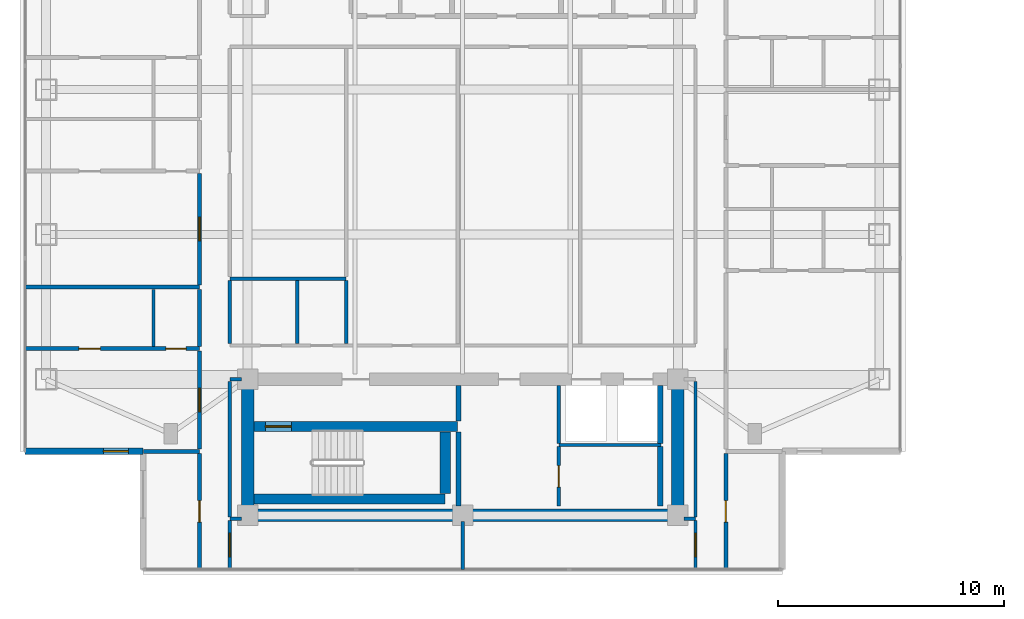
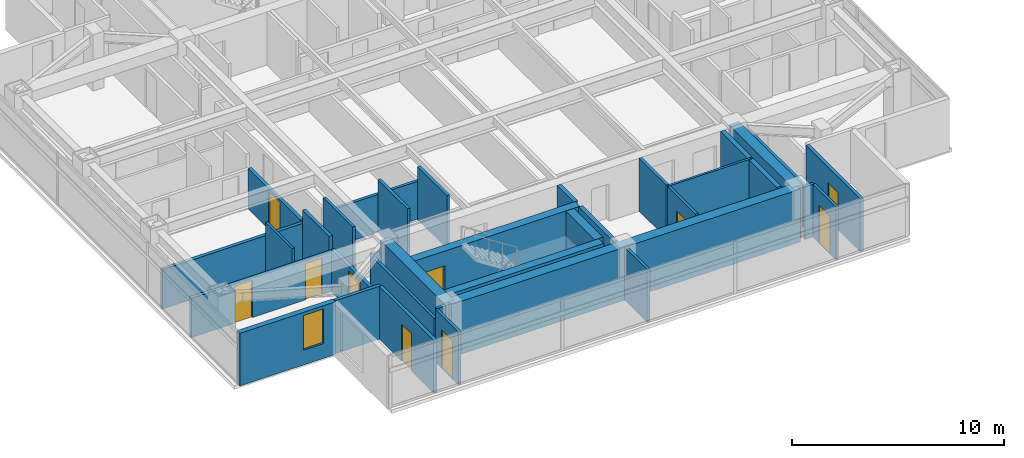
# One storey, part 11 of 23: 35 walls, 10 doors, 1 window, 11 openings.
"""IFC4 building model written with IfcOpenShell, lengths in metres."""

from ifc_helpers import new_model, si_unit, direction, frame, frame_2d, origin, place, context, subcontext, project, spatial, rectangle, extrude, material, layer, layer_set, type_object, element, fill, save


model = new_model("IFC4")

# Units and contexts
model_context = context("Model", 3, precision=1e-05, world=origin(), true_north=direction((0.0, 1.0)))
body_context = subcontext(model_context, "Body", "Model", "MODEL_VIEW")
ifc_project = project(units=[si_unit("LENGTHUNIT", "METRE"), si_unit("AREAUNIT", "SQUARE_METRE"), si_unit("VOLUMEUNIT", "CUBIC_METRE"), si_unit("PLANEANGLEUNIT", "RADIAN"), si_unit("MASSUNIT", "GRAM", prefix="KILO")], contexts=[model_context])

# Site, building, storey
site_placement = place(None, origin())
site = spatial("IfcSite", under=ifc_project, at=site_placement, CompositionType="ELEMENT")
building_placement = place(site_placement, origin())
building = spatial("IfcBuilding", under=site, at=building_placement, Name="Mirazonda Arch Towers", CompositionType="ELEMENT")
storey_placement = place(building_placement, frame((0.0, 0.0, 183.64990234375)))
storey = spatial("IfcBuildingStorey", under=building, at=storey_placement, Name="L52", CompositionType="ELEMENT", Elevation=183.64990234375)

# Wall
ifc_material_1 = material(Name="Concrete C50/60", Category="concrete")
ifc_layer_1 = layer(ifc_material_1, 0.449951171875, Name="WALL-CORE-450")
ifc_layer_set_1 = layer_set([ifc_layer_1], Name="Concrete C50/60")
wall_type_1 = type_object("IfcWallType", Name="WALL-CORE-450", PredefinedType="SHEAR", material=ifc_layer_set_1)
wall_1_placement = place(storey_placement, frame((11.27001953125, 13.1201171875, 0.0), z_axis=(0.0, 0.0, 1.0), x_axis=(1.0, 0.0, 0.0)))
element("IfcWall", 1, at=wall_1_placement, inside=storey, type_object=wall_type_1, Name="L52 Stair Core Shear Wall 003", PredefinedType="SHEAR", context=body_context, shape_type="SweptSolid", body=[
    extrude(rectangle(XDim=8.4599609375, YDim=0.449951171875, at=frame_2d((4.22998046875, 0.0))), origin(), (0.0, 0.0, 1.0), 3.050048828125),
])

# Wall, opening, door
wall_2_placement = place(storey_placement, frame((11.27001953125, 16.320068359375, 0.0), z_axis=(0.0, 0.0, 1.0), x_axis=(1.0, 0.0, 0.0)))
wall_2 = element("IfcWall", 2, at=wall_2_placement, inside=storey, type_object=wall_type_1, Name="L52 Stair Core Shear Wall 007", PredefinedType="SHEAR", context=body_context, shape_type="SweptSolid", body=[
    extrude(rectangle(XDim=9.010009765625, YDim=0.449951171875, at=frame_2d((4.5048828125, 0.0))), origin(), (0.0, 0.0, 1.0), 3.050048828125),
])
opening_1_placement = place(wall_2_placement, frame((0.52001953125, 0.0, 0.0)))
opening_1 = element("IfcOpeningElement", 3, at=opening_1_placement, cuts=wall_2, Name="Opening DR-135", PredefinedType="OPENING", context=body_context, shape_type="SweptSolid", body=[
    extrude(rectangle(XDim=1.14990234375, YDim=2.199951171875, at=frame_2d((0.574951171875, 1.10009765625))), frame((0.0, 0.23486328125, 0.0), z_axis=(0.0, -1.0, 0.0), x_axis=(1.0, 0.0, 0.0)), (0.0, 0.0, 1.0), 0.469970703125),
])
ifc_material_2 = material(Name="Architectural Brushed Steel S355", Category="steel")
door_type_1 = type_object("IfcDoorType", Name="DOOR-STAIR-FD90-1150", OperationType="NOTDEFINED", PredefinedType="DOOR", material=ifc_material_2)
door_1_placement = place(opening_1_placement, origin())
door_1 = element("IfcDoor", 4, at=door_1_placement, inside=storey, type_object=door_type_1, Name="L52 Protected Exit Stair South Door", OperationType="SINGLE_SWING_RIGHT", OverallHeight=2.199951171875, OverallWidth=1.14990234375, PredefinedType="DOOR", context=body_context, shape_type="SweptSolid", body=[
    extrude(rectangle(XDim=1.14990234375, YDim=2.199951171875, at=frame_2d((0.574951171875, 1.10009765625))), frame((0.0, 0.02490234375, 0.0), z_axis=(0.0, -1.0, 0.0), x_axis=(1.0, 0.0, 0.0)), (0.0, 0.0, 1.0), 0.050048828125),
])
fill(opening_1, door_1)

# Walls
wall_3_placement = place(storey_placement, frame((19.72998046875, 13.35498046875, 0.0), z_axis=(0.0, 0.0, 1.0), x_axis=(0.0, 1.0, 0.0)))
element("IfcWall", 5, at=wall_3_placement, inside=storey, type_object=wall_type_1, Name="L52 Stair Core Shear Wall 084", PredefinedType="SHEAR", context=body_context, shape_type="SweptSolid", body=[
    extrude(rectangle(XDim=2.72998046875, YDim=0.449951171875, at=frame_2d((1.364990234375, 0.0))), origin(), (0.0, 0.0, 1.0), 3.050048828125),
])
ifc_layer_2 = layer(ifc_material_1, 0.550048828125, Name="WALL-CORE-550")
ifc_layer_set_2 = layer_set([ifc_layer_2], Name="Concrete C50/60")
wall_type_2 = type_object("IfcWallType", Name="WALL-CORE-550", PredefinedType="SHEAR", material=ifc_layer_set_2)
wall_4_placement = place(storey_placement, frame((11.0, 12.39990234375, 0.0), z_axis=(0.0, 0.0, 1.0), x_axis=(1.0, 0.0, 0.0)))
element("IfcWall", 6, at=wall_4_placement, inside=storey, type_object=wall_type_2, Name="L52 T1S-S Core Shear Wall", PredefinedType="SHEAR", context=body_context, shape_type="SweptSolid", body=[
    extrude(rectangle(XDim=19.0, YDim=0.550048828125, at=frame_2d((9.5, 0.0))), origin(), (0.0, 0.0, 1.0), 3.050048828125),
])
for number, where, z_axis, x_axis, name in (
    (7, (11.0, 12.39990234375, 0.0), (0.0, 0.0, 1.0), (0.0, 1.0, 0.0), "L52 T1S-W Core Shear Wall"),
    (8, (30.0, 12.39990234375, 0.0), (0.0, 0.0, 1.0), (0.0, 1.0, 0.0), "L52 T1S-E Core Shear Wall"),
):
    element("IfcWall", number, at=place(storey_placement, frame(where, z_axis=z_axis, x_axis=x_axis)), inside=storey, type_object=wall_type_2, Name=name, PredefinedType="SHEAR", context=body_context, shape_type="SweptSolid", body=[
        extrude(rectangle(XDim=6.0, YDim=0.550048828125, at=frame_2d((3.0, 0.0))), origin(), (0.0, 0.0, 1.0), 3.050048828125),
    ])

# Wall, opening, window
ifc_material_3 = material(Name="Precast Concrete C40/50", Category="concrete")
ifc_layer_3 = layer(ifc_material_3, 0.280029296875, Name="WALL-EXT-WALL-280")
ifc_layer_set_3 = layer_set([ifc_layer_3], Name="Precast Concrete C40/50")
wall_type_3 = type_object("IfcWallType", Name="WALL-EXT-WALL-280", PredefinedType="SOLIDWALL", material=ifc_layer_set_3)
wall_5_placement = place(storey_placement, frame((1.169921875, 15.22509765625, 0.0), z_axis=(0.0, 0.0, 1.0), x_axis=(1.0, 0.0, 0.0)))
wall_5 = element("IfcWall", 9, at=wall_5_placement, inside=storey, type_object=wall_type_3, Name="L52 T1 Corner Notch Return Wall WL-L52-T1-CSW2", PredefinedType="SOLIDWALL", context=body_context, shape_type="SweptSolid", body=[
    extrude(rectangle(XDim=5.215087890625, YDim=0.280029296875, at=frame_2d((2.607421875, 0.0))), origin(), (0.0, 0.0, 1.0), 3.030029296875),
])
opening_2_placement = place(wall_5_placement, frame((3.465087890625, 0.0, 0.85009765625)))
opening_2 = element("IfcOpeningElement", 10, at=opening_2_placement, cuts=wall_5, Name="Opening WN-108", PredefinedType="OPENING", context=body_context, shape_type="SweptSolid", body=[
    extrude(rectangle(XDim=1.10009765625, YDim=2.0, at=frame_2d((0.550048828125, 1.0))), frame((0.0, 0.14990234375, 0.0), z_axis=(0.0, -1.0, 0.0), x_axis=(1.0, 0.0, 0.0)), (0.0, 0.0, 1.0), 0.300048828125),
])
ifc_material_4 = material(Name="Insulated Low-E Solar Glass", Category="glass")
window_type = type_object("IfcWindowType", Name="WIN-NOTCH-1100x2000", PartitioningType="SINGLE_PANEL", PredefinedType="WINDOW", material=ifc_material_4)
window_placement = place(opening_2_placement, origin())
window = element("IfcWindow", 11, at=window_placement, inside=storey, type_object=window_type, Name="L52 Punched Facade Window WN-L52-T1-CSW2", OverallHeight=2.0, OverallWidth=1.10009765625, PartitioningType="SINGLE_PANEL", PredefinedType="WINDOW", context=body_context, shape_type="SweptSolid", body=[
    extrude(rectangle(XDim=1.10009765625, YDim=2.0, at=frame_2d((0.550048828125, 1.0))), frame((0.0, 0.030029296875, 0.0), z_axis=(0.0, -1.0, 0.0), x_axis=(1.0, 0.0, 0.0)), (0.0, 0.0, 1.0), 0.06005859375),
])
fill(opening_2, window)

# Walls
ifc_material_5 = material(Name="Concrete C40/50", Category="concrete")
ifc_layer_4 = layer(ifc_material_5, 0.219970703125, Name="WALL-FFL-220")
ifc_layer_set_4 = layer_set([ifc_layer_4], Name="Concrete C40/50")
wall_type_4 = type_object("IfcWallType", Name="WALL-FFL-220", PredefinedType="SOLIDWALL", material=ifc_layer_set_4)
wall_6_placement = place(storey_placement, frame((20.31494140625, 12.800048828125, 0.0), z_axis=(0.0, 0.0, 1.0), x_axis=(0.0, 1.0, 0.0)))
element("IfcWall", 12, at=wall_6_placement, inside=storey, type_object=wall_type_4, Name="L52 Interior Partition 086", PredefinedType="SOLIDWALL", context=body_context, shape_type="SweptSolid", body=[
    extrude(rectangle(XDim=3.284912109375, YDim=0.219970703125, at=frame_2d((1.642578125, 0.0))), origin(), (0.0, 0.0, 1.0), 3.050048828125),
])
wall_7_placement = place(storey_placement, frame((20.31494140625, 16.554931640625, 0.0), z_axis=(0.0, 0.0, 1.0), x_axis=(0.0, 1.0, 0.0)))
element("IfcWall", 13, at=wall_7_placement, inside=storey, type_object=wall_type_4, Name="L52 Interior Partition 087", PredefinedType="SOLIDWALL", context=body_context, shape_type="SweptSolid", body=[
    extrude(rectangle(XDim=1.574951171875, YDim=0.219970703125, at=frame_2d((0.78759765625, 0.0))), origin(), (0.0, 0.0, 1.0), 3.050048828125),
])
ifc_material_6 = material(Name="Fire-Rated Gypsum Stud Partition")
ifc_layer_5 = layer(ifc_material_6, 0.14990234375, Name="WALL-PART-CORR-150")
ifc_layer_set_5 = layer_set([ifc_layer_5], Name="Fire-Rated Gypsum Stud Partition")
wall_type_5 = type_object("IfcWallType", Name="WALL-PART-CORR-150", PredefinedType="PARTITIONING", material=ifc_layer_set_5)
for number, where, z_axis, x_axis, name in (
    (14, (10.219970703125, 12.25, 0.0), (0.0, 0.0, 1.0), (1.0, 0.0, 0.0), "L52 Interior Partition 001"),
    (15, (30.27001953125, 12.25, 0.0), (0.0, 0.0, 1.0), (1.0, 0.0, 0.0), "L52 Interior Partition 002"),
):
    element("IfcWall", number, at=place(storey_placement, frame(where, z_axis=z_axis, x_axis=x_axis)), inside=storey, type_object=wall_type_5, Name=name, PredefinedType="PARTITIONING", context=body_context, shape_type="SweptSolid", body=[
        extrude(rectangle(XDim=0.510009765625, YDim=0.14990234375, at=frame_2d((0.2548828125, 0.0))), origin(), (0.0, 0.0, 1.0), 3.050048828125),
    ])
wall_8_placement = place(storey_placement, frame((10.219970703125, 18.39990234375, 0.0), z_axis=(0.0, 0.0, 1.0), x_axis=(1.0, 0.0, 0.0)))
element("IfcWall", 16, at=wall_8_placement, inside=storey, type_object=wall_type_5, Name="L52 Interior Partition 011", PredefinedType="PARTITIONING", context=body_context, shape_type="SweptSolid", body=[
    extrude(rectangle(XDim=0.510009765625, YDim=0.14990234375, at=frame_2d((0.2548828125, 0.0))), origin(), (0.0, 0.0, 1.0), 2.442138671875),
])
wall_9_placement = place(storey_placement, frame((10.219970703125, 22.85009765625, 0.0), z_axis=(0.0, 0.0, 1.0), x_axis=(1.0, 0.0, 0.0)))
element("IfcWall", 17, at=wall_9_placement, inside=storey, type_object=wall_type_5, Name="L52 Interior Partition 023", PredefinedType="PARTITIONING", context=body_context, shape_type="SweptSolid", body=[
    extrude(rectangle(XDim=5.130126953125, YDim=0.14990234375, at=frame_2d((2.56494140625, 0.0))), origin(), (0.0, 0.0, 1.0), 2.18603515625),
])

# Wall, opening, door
wall_10_placement = place(storey_placement, frame((10.219970703125, 10.010009765625, 0.0), z_axis=(0.0, 0.0, 1.0), x_axis=(0.0, 1.0, 0.0)))
wall_10 = element("IfcWall", 18, at=wall_10_placement, inside=storey, type_object=wall_type_5, Name="L52 Interior Partition 072", PredefinedType="PARTITIONING", context=body_context, shape_type="SweptSolid", body=[
    extrude(rectangle(XDim=2.155029296875, YDim=0.14990234375, at=frame_2d((1.07763671875, 0.0))), origin(), (0.0, 0.0, 1.0), 3.050048828125),
])
opening_3_placement = place(wall_10_placement, frame((0.552490234375, 0.0, 0.0)))
opening_3 = element("IfcOpeningElement", 19, at=opening_3_placement, cuts=wall_10, Name="Opening DR-121", PredefinedType="OPENING", context=body_context, shape_type="SweptSolid", body=[
    extrude(rectangle(XDim=1.050048828125, YDim=2.199951171875, at=frame_2d((0.52490234375, 1.10009765625))), frame((0.0, 0.0849609375, 0.0), z_axis=(0.0, -1.0, 0.0), x_axis=(1.0, 0.0, 0.0)), (0.0, 0.0, 1.0), 0.169921875),
])
door_type_2 = type_object("IfcDoorType", Name="DOOR-SUITE-FD60-1050", OperationType="NOTDEFINED", PredefinedType="DOOR", material=ifc_material_2)
door_2_placement = place(opening_3_placement, origin())
door_2 = element("IfcDoor", 20, at=door_2_placement, inside=storey, type_object=door_type_2, Name="L52 South Panoramic Study West Door", OperationType="SINGLE_SWING_LEFT", OverallHeight=2.199951171875, OverallWidth=1.050048828125, PredefinedType="DOOR", context=body_context, shape_type="SweptSolid", body=[
    extrude(rectangle(XDim=1.050048828125, YDim=2.199951171875, at=frame_2d((0.52490234375, 1.10009765625))), frame((0.0, 0.02490234375, 0.0), z_axis=(0.0, -1.0, 0.0), x_axis=(1.0, 0.0, 0.0)), (0.0, 0.0, 1.0), 0.050048828125),
])
fill(opening_3, door_2)

# Walls
wall_11_placement = place(storey_placement, frame((10.219970703125, 12.3349609375, 0.0), z_axis=(0.0, 0.0, 1.0), x_axis=(0.0, 1.0, 0.0)))
element("IfcWall", 21, at=wall_11_placement, inside=storey, type_object=wall_type_5, Name="L52 Interior Partition 073", PredefinedType="PARTITIONING", context=body_context, shape_type="SweptSolid", body=[
    extrude(rectangle(XDim=5.97998046875, YDim=0.14990234375, at=frame_2d((2.989990234375, 0.0))), origin(), (0.0, 0.0, 1.0), 2.442138671875),
])
for number, where, z_axis, x_axis, name in (
    (22, (10.219970703125, 19.985107421875, 0.0), (0.0, 0.0, 1.0), (0.0, 1.0, 0.0), "L52 Interior Partition 074"),
    (23, (13.199951171875, 19.985107421875, 0.0), (0.0, 0.0, 1.0), (0.0, 1.0, 0.0), "L52 Interior Partition 079"),
    (24, (15.35009765625, 19.985107421875, 0.0), (0.0, 0.0, 1.0), (0.0, 1.0, 0.0), "L52 Interior Partition 080"),
):
    element("IfcWall", number, at=place(storey_placement, frame(where, z_axis=z_axis, x_axis=x_axis)), inside=storey, type_object=wall_type_5, Name=name, PredefinedType="PARTITIONING", context=body_context, shape_type="SweptSolid", body=[
        extrude(rectangle(XDim=2.77978515625, YDim=0.14990234375, at=frame_2d((1.389892578125, 0.0))), origin(), (0.0, 0.0, 1.0), 3.050048828125),
    ])
wall_12_placement = place(storey_placement, frame((20.5, 10.010009765625, 0.0), z_axis=(0.0, 0.0, 1.0), x_axis=(0.0, 1.0, 0.0)))
element("IfcWall", 25, at=wall_12_placement, inside=storey, type_object=wall_type_5, Name="L52 Interior Partition 090", PredefinedType="PARTITIONING", context=body_context, shape_type="SweptSolid", body=[
    extrude(rectangle(XDim=2.119873046875, YDim=0.14990234375, at=frame_2d((1.06005859375, 0.0))), origin(), (0.0, 0.0, 1.0), 3.050048828125),
])

# Wall, opening, door
wall_13_placement = place(storey_placement, frame((24.75, 12.800048828125, 0.0), z_axis=(0.0, 0.0, 1.0), x_axis=(0.0, 1.0, 0.0)))
wall_13 = element("IfcWall", 26, at=wall_13_placement, inside=storey, type_object=wall_type_5, Name="L52 Interior Partition 092", PredefinedType="PARTITIONING", context=body_context, shape_type="SweptSolid", body=[
    extrude(rectangle(XDim=2.62744140625, YDim=0.14990234375, at=frame_2d((1.313720703125, 0.0))), origin(), (0.0, 0.0, 1.0), 3.050048828125),
])
opening_4_placement = place(wall_13_placement, frame((0.838623046875, 0.0, 0.0)))
opening_4 = element("IfcOpeningElement", 27, at=opening_4_placement, cuts=wall_13, Name="Opening DR-104", PredefinedType="OPENING", context=body_context, shape_type="SweptSolid", body=[
    extrude(rectangle(XDim=0.949951171875, YDim=2.14990234375, at=frame_2d((0.47509765625, 1.074951171875))), frame((0.0, 0.0849609375, 0.0), z_axis=(0.0, -1.0, 0.0), x_axis=(1.0, 0.0, 0.0)), (0.0, 0.0, 1.0), 0.169921875),
])
door_type_3 = type_object("IfcDoorType", Name="DOOR-ROOM-950", OperationType="NOTDEFINED", PredefinedType="DOOR", material=ifc_material_2)
door_3_placement = place(opening_4_placement, origin())
door_3 = element("IfcDoor", 28, at=door_3_placement, inside=storey, type_object=door_type_3, Name="L52 Residents Private Archive Study Door", OperationType="SINGLE_SWING_RIGHT", OverallHeight=2.14990234375, OverallWidth=0.949951171875, PredefinedType="DOOR", context=body_context, shape_type="SweptSolid", body=[
    extrude(rectangle(XDim=0.949951171875, YDim=2.14990234375, at=frame_2d((0.47509765625, 1.074951171875))), frame((0.0, 0.02490234375, 0.0), z_axis=(0.0, -1.0, 0.0), x_axis=(1.0, 0.0, 0.0)), (0.0, 0.0, 1.0), 0.050048828125),
])
fill(opening_4, door_3)

# Wall
wall_14_placement = place(storey_placement, frame((24.75, 15.572509765625, 0.0), z_axis=(0.0, 0.0, 1.0), x_axis=(0.0, 1.0, 0.0)))
element("IfcWall", 29, at=wall_14_placement, inside=storey, type_object=wall_type_5, Name="L52 Interior Partition 093", PredefinedType="PARTITIONING", context=body_context, shape_type="SweptSolid", body=[
    extrude(rectangle(XDim=2.557373046875, YDim=0.14990234375, at=frame_2d((1.27880859375, 0.0))), origin(), (0.0, 0.0, 1.0), 3.050048828125),
])

# Wall, opening, door
wall_15_placement = place(storey_placement, frame((30.780029296875, 10.010009765625, 0.0), z_axis=(0.0, 0.0, 1.0), x_axis=(0.0, 1.0, 0.0)))
wall_15 = element("IfcWall", 30, at=wall_15_placement, inside=storey, type_object=wall_type_5, Name="L52 Interior Partition 104", PredefinedType="PARTITIONING", context=body_context, shape_type="SweptSolid", body=[
    extrude(rectangle(XDim=2.155029296875, YDim=0.14990234375, at=frame_2d((1.07763671875, 0.0))), origin(), (0.0, 0.0, 1.0), 3.050048828125),
])
opening_5_placement = place(wall_15_placement, frame((0.552490234375, 0.0, 0.0)))
opening_5 = element("IfcOpeningElement", 31, at=opening_5_placement, cuts=wall_15, Name="Opening DR-121", PredefinedType="OPENING", context=body_context, shape_type="SweptSolid", body=[
    extrude(rectangle(XDim=1.050048828125, YDim=2.199951171875, at=frame_2d((0.52490234375, 1.10009765625))), frame((0.0, 0.0849609375, 0.0), z_axis=(0.0, -1.0, 0.0), x_axis=(1.0, 0.0, 0.0)), (0.0, 0.0, 1.0), 0.169921875),
])
door_4_placement = place(opening_5_placement, origin())
door_4 = element("IfcDoor", 32, at=door_4_placement, inside=storey, type_object=door_type_2, Name="L52 South Panoramic Study East Door", OperationType="SINGLE_SWING_RIGHT", OverallHeight=2.199951171875, OverallWidth=1.050048828125, PredefinedType="DOOR", context=body_context, shape_type="SweptSolid", body=[
    extrude(rectangle(XDim=1.050048828125, YDim=2.199951171875, at=frame_2d((0.52490234375, 1.10009765625))), frame((0.0, 0.02490234375, 0.0), z_axis=(0.0, -1.0, 0.0), x_axis=(1.0, 0.0, 0.0)), (0.0, 0.0, 1.0), 0.050048828125),
])
fill(opening_5, door_4)

# Walls
wall_16_placement = place(storey_placement, frame((30.780029296875, 12.3349609375, 0.0), z_axis=(0.0, 0.0, 1.0), x_axis=(0.0, 1.0, 0.0)))
element("IfcWall", 33, at=wall_16_placement, inside=storey, type_object=wall_type_5, Name="L52 Interior Partition 105", PredefinedType="PARTITIONING", context=body_context, shape_type="SweptSolid", body=[
    extrude(rectangle(XDim=5.97998046875, YDim=0.14990234375, at=frame_2d((2.989990234375, 0.0))), origin(), (0.0, 0.0, 1.0), 2.442138671875),
])
ifc_material_7 = material(Name="Fire-Rated Gypsum Twin-Stud Assembly")
ifc_layer_6 = layer(ifc_material_7, 0.179931640625, Name="WALL-PART-DEMISE-180")
ifc_layer_set_6 = layer_set([ifc_layer_6], Name="Fire-Rated Gypsum Twin-Stud Assembly")
wall_type_6 = type_object("IfcWallType", Name="WALL-PART-DEMISE-180", PredefinedType="PARTITIONING", material=ifc_layer_set_6)
wall_17_placement = place(storey_placement, frame((6.405029296875, 15.22509765625, 0.0), z_axis=(0.0, 0.0, 1.0), x_axis=(1.0, 0.0, 0.0)))
element("IfcWall", 34, at=wall_17_placement, inside=storey, type_object=wall_type_6, Name="L52 Interior Partition 004", PredefinedType="PARTITIONING", context=body_context, shape_type="SweptSolid", body=[
    extrude(rectangle(XDim=2.474853515625, YDim=0.179931640625, at=frame_2d((1.2373046875, 0.0))), origin(), (0.0, 0.0, 1.0), 3.050048828125),
])

# Wall, openings, doors
wall_18_placement = place(storey_placement, frame((1.169921875, 19.760009765625, 0.0), z_axis=(0.0, 0.0, 1.0), x_axis=(1.0, 0.0, 0.0)))
wall_18 = element("IfcWall", 35, at=wall_18_placement, inside=storey, type_object=wall_type_6, Name="L52 Interior Partition 014", PredefinedType="PARTITIONING", context=body_context, shape_type="SweptSolid", body=[
    extrude(rectangle(XDim=7.7099609375, YDim=0.179931640625, at=frame_2d((3.85498046875, 0.0))), origin(), (0.0, 0.0, 1.0), 2.26904296875),
])
opening_6_placement = place(wall_18_placement, frame((2.3798828125, 0.0, 0.0)))
opening_6 = element("IfcOpeningElement", 36, at=opening_6_placement, cuts=wall_18, Name="Opening DR-104", PredefinedType="OPENING", context=body_context, shape_type="SweptSolid", body=[
    extrude(rectangle(XDim=0.949951171875, YDim=2.14990234375, at=frame_2d((0.47509765625, 1.074951171875))), frame((0.0, 0.099853515625, 0.0), z_axis=(0.0, -1.0, 0.0), x_axis=(1.0, 0.0, 0.0)), (0.0, 0.0, 1.0), 0.199951171875),
])
opening_7_placement = place(wall_18_placement, frame((6.219970703125, 0.0, 0.0)))
opening_7 = element("IfcOpeningElement", 37, at=opening_7_placement, cuts=wall_18, Name="Opening DR-120", PredefinedType="OPENING", context=body_context, shape_type="SweptSolid", body=[
    extrude(rectangle(XDim=0.89990234375, YDim=2.10009765625, at=frame_2d((0.449951171875, 1.050048828125))), frame((0.0, 0.099853515625, 0.0), z_axis=(0.0, -1.0, 0.0), x_axis=(1.0, 0.0, 0.0)), (0.0, 0.0, 1.0), 0.199951171875),
])
door_5_placement = place(opening_6_placement, origin())
door_5 = element("IfcDoor", 38, at=door_5_placement, inside=storey, type_object=door_type_3, Name="L52 Studio 1 Galley Kitchen Door", OperationType="SINGLE_SWING_LEFT", OverallHeight=2.14990234375, OverallWidth=0.949951171875, PredefinedType="DOOR", context=body_context, shape_type="SweptSolid", body=[
    extrude(rectangle(XDim=0.949951171875, YDim=2.14990234375, at=frame_2d((0.47509765625, 1.074951171875))), frame((0.0, 0.02490234375, 0.0), z_axis=(0.0, -1.0, 0.0), x_axis=(1.0, 0.0, 0.0)), (0.0, 0.0, 1.0), 0.050048828125),
])
fill(opening_6, door_5)
door_type_4 = type_object("IfcDoorType", Name="DOOR-WC-900", OperationType="NOTDEFINED", PredefinedType="DOOR", material=ifc_material_2)
door_6_placement = place(opening_7_placement, origin())
door_6 = element("IfcDoor", 39, at=door_6_placement, inside=storey, type_object=door_type_4, Name="L52 Studio 1 Bathroom Door", OperationType="SINGLE_SWING_RIGHT", OverallHeight=2.10009765625, OverallWidth=0.89990234375, PredefinedType="DOOR", context=body_context, shape_type="SweptSolid", body=[
    extrude(rectangle(XDim=0.89990234375, YDim=2.10009765625, at=frame_2d((0.449951171875, 1.050048828125))), frame((0.0, 0.02490234375, 0.0), z_axis=(0.0, -1.0, 0.0), x_axis=(1.0, 0.0, 0.0)), (0.0, 0.0, 1.0), 0.050048828125),
])
fill(opening_7, door_6)

# Wall
wall_19_placement = place(storey_placement, frame((1.169921875, 22.47998046875, 0.0), z_axis=(0.0, 0.0, 1.0), x_axis=(1.0, 0.0, 0.0)))
element("IfcWall", 40, at=wall_19_placement, inside=storey, type_object=wall_type_6, Name="L52 Interior Partition 020", PredefinedType="PARTITIONING", context=body_context, shape_type="SweptSolid", body=[
    extrude(rectangle(XDim=7.7099609375, YDim=0.179931640625, at=frame_2d((3.85498046875, 0.0))), origin(), (0.0, 0.0, 1.0), 2.26904296875),
])

# Wall, opening, door
wall_20_placement = place(storey_placement, frame((8.8798828125, 10.010009765625, 0.0), z_axis=(0.0, 0.0, 1.0), x_axis=(0.0, 1.0, 0.0)))
wall_20 = element("IfcWall", 41, at=wall_20_placement, inside=storey, type_object=wall_type_6, Name="L52 Interior Partition 064", PredefinedType="PARTITIONING", context=body_context, shape_type="SweptSolid", body=[
    extrude(rectangle(XDim=5.114990234375, YDim=0.179931640625, at=frame_2d((2.5576171875, 0.0))), origin(), (0.0, 0.0, 1.0), 3.050048828125),
])
opening_8_placement = place(wall_20_placement, frame((2.08251953125, 0.0, 0.0)))
opening_8 = element("IfcOpeningElement", 42, at=opening_8_placement, cuts=wall_20, Name="Opening DR-104", PredefinedType="OPENING", context=body_context, shape_type="SweptSolid", body=[
    extrude(rectangle(XDim=0.949951171875, YDim=2.14990234375, at=frame_2d((0.47509765625, 1.074951171875))), frame((0.0, 0.099853515625, 0.0), z_axis=(0.0, -1.0, 0.0), x_axis=(1.0, 0.0, 0.0)), (0.0, 0.0, 1.0), 0.199951171875),
])
door_7_placement = place(opening_8_placement, origin())
door_7 = element("IfcDoor", 43, at=door_7_placement, inside=storey, type_object=door_type_3, Name="L52 South Panoramic Study Alcove West Door", OperationType="SINGLE_SWING_LEFT", OverallHeight=2.14990234375, OverallWidth=0.949951171875, PredefinedType="DOOR", context=body_context, shape_type="SweptSolid", body=[
    extrude(rectangle(XDim=0.949951171875, YDim=2.14990234375, at=frame_2d((0.47509765625, 1.074951171875))), frame((0.0, 0.02490234375, 0.0), z_axis=(0.0, -1.0, 0.0), x_axis=(1.0, 0.0, 0.0)), (0.0, 0.0, 1.0), 0.050048828125),
])
fill(opening_8, door_7)

wall_21_placement = place(storey_placement, frame((8.8798828125, 15.324951171875, 0.0), z_axis=(0.0, 0.0, 1.0), x_axis=(0.0, 1.0, 0.0)))
wall_21 = element("IfcWall", 44, at=wall_21_placement, inside=storey, type_object=wall_type_6, Name="L52 Interior Partition 065", PredefinedType="PARTITIONING", context=body_context, shape_type="SweptSolid", body=[
    extrude(rectangle(XDim=4.3349609375, YDim=0.179931640625, at=frame_2d((2.16748046875, 0.0))), origin(), (0.0, 0.0, 1.0), 2.442138671875),
])
opening_9_placement = place(wall_21_placement, frame((1.642578125, 0.0, 0.0)))
opening_9 = element("IfcOpeningElement", 45, at=opening_9_placement, cuts=wall_21, Name="Opening DR-121", PredefinedType="OPENING", context=body_context, shape_type="SweptSolid", body=[
    extrude(rectangle(XDim=1.050048828125, YDim=2.199951171875, at=frame_2d((0.52490234375, 1.10009765625))), frame((0.0, 0.099853515625, 0.0), z_axis=(0.0, -1.0, 0.0), x_axis=(1.0, 0.0, 0.0)), (0.0, 0.0, 1.0), 0.199951171875),
])
door_8_placement = place(opening_9_placement, origin())
door_8 = element("IfcDoor", 46, at=door_8_placement, inside=storey, type_object=door_type_2, Name="L52 Studio Apartment 1 Living Salon Door", OperationType="SINGLE_SWING_RIGHT", OverallHeight=2.199951171875, OverallWidth=1.050048828125, PredefinedType="DOOR", context=body_context, shape_type="SweptSolid", body=[
    extrude(rectangle(XDim=1.050048828125, YDim=2.199951171875, at=frame_2d((0.52490234375, 1.10009765625))), frame((0.0, 0.02490234375, 0.0), z_axis=(0.0, -1.0, 0.0), x_axis=(1.0, 0.0, 0.0)), (0.0, 0.0, 1.0), 0.050048828125),
])
fill(opening_9, door_8)

# Wall
wall_22_placement = place(storey_placement, frame((8.8798828125, 19.860107421875, 0.0), z_axis=(0.0, 0.0, 1.0), x_axis=(0.0, 1.0, 0.0)))
element("IfcWall", 47, at=wall_22_placement, inside=storey, type_object=wall_type_6, Name="L52 Interior Partition 066", PredefinedType="PARTITIONING", context=body_context, shape_type="SweptSolid", body=[
    extrude(rectangle(XDim=2.519775390625, YDim=0.179931640625, at=frame_2d((1.259765625, 0.0))), origin(), (0.0, 0.0, 1.0), 3.050048828125),
])

# Wall, opening, door
wall_23_placement = place(storey_placement, frame((8.8798828125, 22.580078125, 0.0), z_axis=(0.0, 0.0, 1.0), x_axis=(0.0, 1.0, 0.0)))
wall_23 = element("IfcWall", 48, at=wall_23_placement, inside=storey, type_object=wall_type_6, Name="L52 Interior Partition 067", PredefinedType="PARTITIONING", context=body_context, shape_type="SweptSolid", body=[
    extrude(rectangle(XDim=4.91796875, YDim=0.179931640625, at=frame_2d((2.458984375, 0.0))), origin(), (0.0, 0.0, 1.0), 2.34619140625),
])
opening_10_placement = place(wall_23_placement, frame((1.93408203125, 0.0, 0.0)))
opening_10 = element("IfcOpeningElement", 49, at=opening_10_placement, cuts=wall_23, Name="Opening DR-121", PredefinedType="OPENING", context=body_context, shape_type="SweptSolid", body=[
    extrude(rectangle(XDim=1.050048828125, YDim=2.199951171875, at=frame_2d((0.52490234375, 1.10009765625))), frame((0.0, 0.099853515625, 0.0), z_axis=(0.0, -1.0, 0.0), x_axis=(1.0, 0.0, 0.0)), (0.0, 0.0, 1.0), 0.199951171875),
])
door_9_placement = place(opening_10_placement, origin())
door_9 = element("IfcDoor", 50, at=door_9_placement, inside=storey, type_object=door_type_2, Name="L52 Studio Apartment 2 Living Salon Door", OperationType="SINGLE_SWING_LEFT", OverallHeight=2.199951171875, OverallWidth=1.050048828125, PredefinedType="DOOR", context=body_context, shape_type="SweptSolid", body=[
    extrude(rectangle(XDim=1.050048828125, YDim=2.199951171875, at=frame_2d((0.52490234375, 1.10009765625))), frame((0.0, 0.02490234375, 0.0), z_axis=(0.0, -1.0, 0.0), x_axis=(1.0, 0.0, 0.0)), (0.0, 0.0, 1.0), 0.050048828125),
])
fill(opening_10, door_9)

wall_24_placement = place(storey_placement, frame((32.1201171875, 10.010009765625, 0.0), z_axis=(0.0, 0.0, 1.0), x_axis=(0.0, 1.0, 0.0)))
wall_24 = element("IfcWall", 51, at=wall_24_placement, inside=storey, type_object=wall_type_6, Name="L52 Interior Partition 109", PredefinedType="PARTITIONING", context=body_context, shape_type="SweptSolid", body=[
    extrude(rectangle(XDim=5.114990234375, YDim=0.179931640625, at=frame_2d((2.5576171875, 0.0))), origin(), (0.0, 0.0, 1.0), 3.050048828125),
])
opening_11_placement = place(wall_24_placement, frame((2.08251953125, 0.0, 0.0)))
opening_11 = element("IfcOpeningElement", 52, at=opening_11_placement, cuts=wall_24, Name="Opening DR-104", PredefinedType="OPENING", context=body_context, shape_type="SweptSolid", body=[
    extrude(rectangle(XDim=0.949951171875, YDim=2.14990234375, at=frame_2d((0.47509765625, 1.074951171875))), frame((0.0, 0.099853515625, 0.0), z_axis=(0.0, -1.0, 0.0), x_axis=(1.0, 0.0, 0.0)), (0.0, 0.0, 1.0), 0.199951171875),
])
door_10_placement = place(opening_11_placement, origin())
door_10 = element("IfcDoor", 53, at=door_10_placement, inside=storey, type_object=door_type_3, Name="L52 South Panoramic Study Alcove East Door", OperationType="SINGLE_SWING_RIGHT", OverallHeight=2.14990234375, OverallWidth=0.949951171875, PredefinedType="DOOR", context=body_context, shape_type="SweptSolid", body=[
    extrude(rectangle(XDim=0.949951171875, YDim=2.14990234375, at=frame_2d((0.47509765625, 1.074951171875))), frame((0.0, 0.02490234375, 0.0), z_axis=(0.0, -1.0, 0.0), x_axis=(1.0, 0.0, 0.0)), (0.0, 0.0, 1.0), 0.050048828125),
])
fill(opening_11, door_10)

# Walls
ifc_material_8 = material(Name="Acoustic Fire-Rated Gypsum Partition")
ifc_layer_7 = layer(ifc_material_8, 0.125, Name="WALL-PART-UNIT-125")
ifc_layer_set_7 = layer_set([ifc_layer_7], Name="Acoustic Fire-Rated Gypsum Partition")
wall_type_7 = type_object("IfcWallType", Name="WALL-PART-UNIT-125", PredefinedType="PARTITIONING", material=ifc_layer_set_7)
wall_25_placement = place(storey_placement, frame((24.75, 15.5, 0.0), z_axis=(0.0, 0.0, 1.0), x_axis=(1.0, 0.0, 0.0)))
element("IfcWall", 54, at=wall_25_placement, inside=storey, type_object=wall_type_7, Name="L52 Interior Partition 006", PredefinedType="PARTITIONING", context=body_context, shape_type="SweptSolid", body=[
    extrude(rectangle(XDim=4.5, YDim=0.125, at=frame_2d((2.25, 0.0))), origin(), (0.0, 0.0, 1.0), 3.050048828125),
])
wall_26_placement = place(storey_placement, frame((6.840087890625, 19.860107421875, 0.0), z_axis=(0.0, 0.0, 1.0), x_axis=(0.0, 1.0, 0.0)))
element("IfcWall", 55, at=wall_26_placement, inside=storey, type_object=wall_type_7, Name="L52 Interior Partition 061", PredefinedType="PARTITIONING", context=body_context, shape_type="SweptSolid", body=[
    extrude(rectangle(XDim=2.519775390625, YDim=0.125, at=frame_2d((1.259765625, 0.0))), origin(), (0.0, 0.0, 1.0), 3.050048828125),
])
ifc_layer_8 = layer(ifc_material_5, 0.25, Name="WALL-SHAFT-250")
ifc_layer_set_8 = layer_set([ifc_layer_8], Name="Concrete C40/50")
wall_type_8 = type_object("IfcWallType", Name="WALL-SHAFT-250", PredefinedType="SOLIDWALL", material=ifc_layer_set_8)
wall_27_placement = place(storey_placement, frame((29.22509765625, 12.800048828125, 0.0), z_axis=(0.0, 0.0, 1.0), x_axis=(0.0, 1.0, 0.0)))
element("IfcWall", 56, at=wall_27_placement, inside=storey, type_object=wall_type_8, Name="L52 Interior Partition 100", PredefinedType="SOLIDWALL", context=body_context, shape_type="SweptSolid", body=[
    extrude(rectangle(XDim=2.62744140625, YDim=0.25, at=frame_2d((1.313720703125, 0.0))), origin(), (0.0, 0.0, 1.0), 3.050048828125),
])
wall_28_placement = place(storey_placement, frame((29.22509765625, 15.572509765625, 0.0), z_axis=(0.0, 0.0, 1.0), x_axis=(0.0, 1.0, 0.0)))
element("IfcWall", 57, at=wall_28_placement, inside=storey, type_object=wall_type_8, Name="L52 Interior Partition 101", PredefinedType="SOLIDWALL", context=body_context, shape_type="SweptSolid", body=[
    extrude(rectangle(XDim=2.557373046875, YDim=0.25, at=frame_2d((1.27880859375, 0.0))), origin(), (0.0, 0.0, 1.0), 3.050048828125),
])

save(model, "model.ifc")
